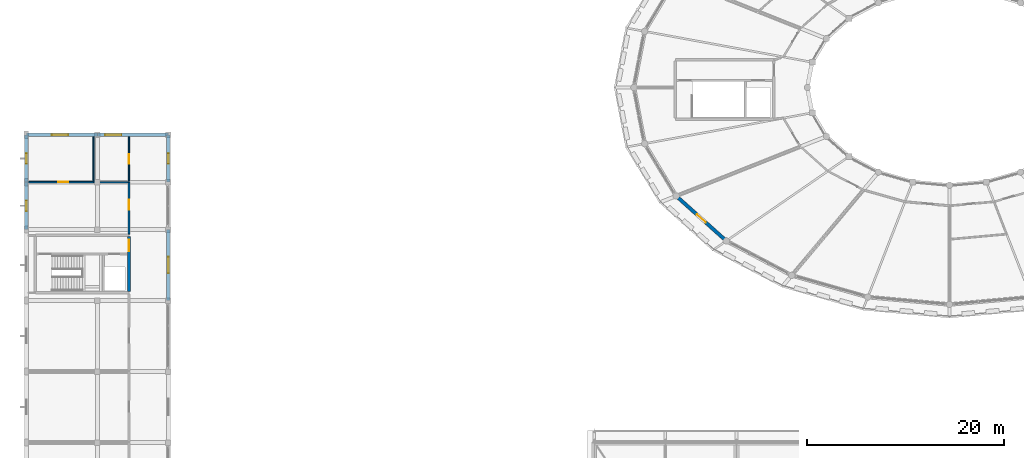
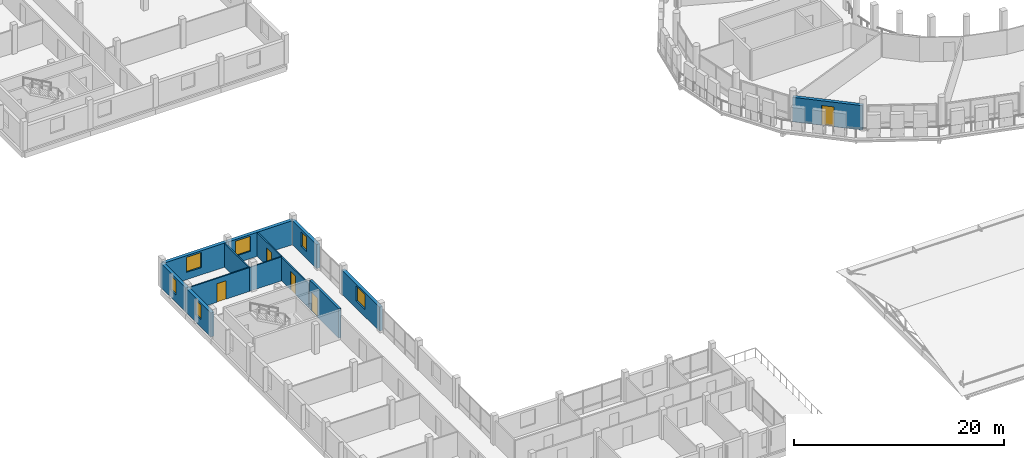
# One storey, part 69 of 84: 13 walls, 6 windows, 5 doors, 11 openings.
"""IFC4 building model written with IfcOpenShell, lengths in metres."""

import ifcopenshell
import ifcopenshell.guid

model = None  # the IFC model being written
_history = None  # IfcOwnerHistory: only IFC2X3 demands one
_inside = {}  # id of a spatial element -> (the spatial element, [elements in it])
_under = {}  # id of a project, library or spatial element -> (it, [spatial elements below it])
_declared = {}  # id of a project -> (the project, [libraries it declares])
_typed = {}  # id of a type object -> (the type object, [elements of that type])
_made_of = {}  # id of a material, layer set ... -> (it, [elements and type objects made of it])


def new_model(schema):
    """Start an empty IFC model of exactly this schema.

    Asked for "IFC4X3", IfcOpenShell would pick the latest addendum, in which some entities
    have other attributes; the version numbers below select the first issue.
    IFC2X3 requires an IfcOwnerHistory on every rooted entity: one is made here for all.
    """
    global model, _history
    if schema == "IFC4X3":
        model = ifcopenshell.file(schema_version=(4, 3, 0, 0))
    else:
        model = ifcopenshell.file(schema=schema)
    _inside.clear()
    _under.clear()
    _declared.clear()
    _typed.clear()
    _made_of.clear()
    _history = None
    if model.schema == "IFC2X3":
        org = make("IfcOrganization", Name="unknown")
        user = make(
            "IfcPersonAndOrganization",
            ThePerson=make("IfcPerson", FamilyName="unknown"),
            TheOrganization=org,
        )
        app = make(
            "IfcApplication",
            ApplicationDeveloper=org,
            Version="unknown",
            ApplicationFullName="unknown",
            ApplicationIdentifier="unknown",
        )
        _history = make(
            "IfcOwnerHistory",
            OwningUser=user,
            OwningApplication=app,
            ChangeAction="ADDED",
            CreationDate=0,
        )
    return model


def make(cls, **values):
    """One entity of the class cls with the attributes given. An attribute that is None is left unset."""
    return model.create_entity(
        cls, **{name: value for name, value in values.items() if value is not None}
    )


def rooted(cls, **values):
    """An entity with a GlobalId (a new one), such as an element, a storey or a relation."""
    return make(cls, GlobalId=ifcopenshell.guid.new(), OwnerHistory=_history, **values)


def si_unit(unit_type, name, prefix=None):
    """IfcSIUnit, for example si_unit("LENGTHUNIT", "METRE", prefix="MILLI")."""
    return make("IfcSIUnit", UnitType=unit_type, Prefix=prefix, Name=name)


def assignment(units):
    """IfcUnitAssignment: the units of a project."""
    return None if units is None else make("IfcUnitAssignment", Units=units)


def point(xyz):
    """IfcCartesianPoint."""
    return None if xyz is None else make("IfcCartesianPoint", Coordinates=xyz)


def direction(xyz):
    """IfcDirection."""
    return None if xyz is None else make("IfcDirection", DirectionRatios=xyz)


def frame(location, z_axis=None, x_axis=None):
    """IfcAxis2Placement3D, a coordinate frame: its origin and axes. An axis left out is left unset."""
    return make(
        "IfcAxis2Placement3D",
        Location=point(location),
        Axis=direction(z_axis),
        RefDirection=direction(x_axis),
    )


def frame_2d(location, x_axis=None):
    """IfcAxis2Placement2D, a coordinate frame in the plane: its origin and x axis."""
    return make(
        "IfcAxis2Placement2D", Location=point(location), RefDirection=direction(x_axis)
    )


def origin():
    """The frame at (0, 0, 0) with its axes left unset."""
    return frame((0.0, 0.0, 0.0))


def place(relative_to, where):
    """IfcLocalPlacement: puts the frame where relative to a parent placement (None: the world)."""
    return make(
        "IfcLocalPlacement", PlacementRelTo=relative_to, RelativePlacement=where
    )


def context(
    kind, dimensions, precision=None, world=None, true_north=None, identifier=None
):
    """IfcGeometricRepresentationContext, for example the 3D "Model" context."""
    return make(
        "IfcGeometricRepresentationContext",
        ContextIdentifier=identifier,
        ContextType=kind,
        CoordinateSpaceDimension=dimensions,
        Precision=precision,
        WorldCoordinateSystem=world,
        TrueNorth=true_north,
    )


def subcontext(parent, identifier, kind, view, scale=None):
    """IfcGeometricRepresentationSubContext, for example "Body" below "Model"."""
    return make(
        "IfcGeometricRepresentationSubContext",
        ContextIdentifier=identifier,
        ContextType=kind,
        ParentContext=parent,
        TargetScale=scale,
        TargetView=view,
    )


def project(units=None, contexts=None):
    """IfcProject with its units and contexts."""
    return rooted(
        "IfcProject",
        Name="project",
        RepresentationContexts=contexts,
        UnitsInContext=assignment(units),
    )


def spatial(cls, under=None, at=None, **own):
    """A site, building, storey or space (cls), placed at a placement, below another one or the project."""
    s = rooted(cls, ObjectPlacement=at, **own)
    if under is not None:
        _under.setdefault(under.id(), (under, []))[1].append(s)
    return s


def profile(cls, at=None, kind="AREA", **sizes):
    """A parametric profile (cls). Its sizes go by their IFC names, for example OverallWidth=200.0."""
    return make(cls, ProfileType=kind, Position=at, **sizes)


def rectangle(**sizes):
    """IfcRectangleProfileDef."""
    return profile("IfcRectangleProfileDef", **sizes)


def extrude(swept, where, along, depth):
    """IfcExtrudedAreaSolid: the profile swept, set in the frame where, extruded along a direction by depth."""
    return make(
        "IfcExtrudedAreaSolid",
        SweptArea=swept,
        Position=where,
        ExtrudedDirection=direction(along),
        Depth=depth,
    )


def shape(context_of_items, identifier, shape_type, items):
    """IfcShapeRepresentation: the items that make up one representation, for example the "Body"."""
    return make(
        "IfcShapeRepresentation",
        ContextOfItems=context_of_items,
        RepresentationIdentifier=identifier,
        RepresentationType=shape_type,
        Items=items,
    )


def material(Name=None, Category=None):
    """IfcMaterial."""
    return make("IfcMaterial", Name=Name, Category=Category)


def layer(
    of_material, thickness, ventilated=None, Name=None, Category=None, Priority=None
):
    """IfcMaterialLayer: one layer of a wall or slab, of a material (None: an air gap)."""
    return make(
        "IfcMaterialLayer",
        Material=of_material,
        LayerThickness=thickness,
        IsVentilated=ventilated,
        Name=Name,
        Category=Category,
        Priority=Priority,
    )


def layer_set(layers, Name=None):
    """IfcMaterialLayerSet."""
    return make("IfcMaterialLayerSet", MaterialLayers=layers, LayerSetName=Name)


def made_of(thing, what):
    """Note that an element or type object is made of a material, layer set ...; save() writes the relation."""
    if what is not None:
        _made_of.setdefault(what.id(), (what, []))[1].append(thing)
    return thing


def type_object(cls, material=None, **own):
    """A type object (cls), such as IfcWallType, which elements share."""
    return made_of(rooted(cls, **own), material)


def element(
    cls,
    number,
    at=None,
    inside=None,
    cuts=None,
    type_object=None,
    material=None,
    context=None,
    identifier="Body",
    shape_type=None,
    held_by="IfcProductDefinitionShape",
    body=None,
    shapes=None,
    **own,
):
    """One element of the class cls, such as IfcWall. Its Tag is "e" and its number.

    at: its placement. inside: the storey or other place that contains it. cuts: it is an
    opening in that element (IfcRelVoidsElement). A single representation is given by context,
    identifier, shape_type and body (its items); several are given by shapes. held_by: the class
    of the entity that holds the representations. save() writes the other relations.
    """
    e = rooted(cls, Tag="e%d" % number, ObjectPlacement=at, **own)
    if body is not None:
        shapes = [shape(context, identifier, shape_type, body)]
    if shapes is not None:
        e.Representation = make(held_by, Representations=shapes)
    if inside is not None:
        _inside.setdefault(inside.id(), (inside, []))[1].append(e)
    if cuts is not None:
        rooted(
            "IfcRelVoidsElement", RelatingBuildingElement=cuts, RelatedOpeningElement=e
        )
    if type_object is not None:
        _typed.setdefault(type_object.id(), (type_object, []))[1].append(e)
    return made_of(e, material)


def fill(opening, filler):
    """IfcRelFillsElement: the door or window that sits in an opening."""
    return rooted(
        "IfcRelFillsElement",
        RelatingOpeningElement=opening,
        RelatedBuildingElement=filler,
    )


def aggregate(whole, parts):
    """IfcRelAggregates: a whole, such as a stair, and the parts it consists of."""
    return rooted("IfcRelAggregates", RelatingObject=whole, RelatedObjects=parts)


def save(model, path):
    """Write the relations noted so far, then the file.

    IfcRelAggregates (storeys below a building ...), IfcRelContainedInSpatialStructure (elements
    in a storey), IfcRelDefinesByType, IfcRelAssociatesMaterial and IfcRelDeclares: one each for
    every whole, place, type object, material and project.
    """
    for whole, parts in _under.values():
        aggregate(whole, parts)
    for where, things in _inside.values():
        rooted(
            "IfcRelContainedInSpatialStructure",
            RelatedElements=things,
            RelatingStructure=where,
        )
    for kind, things in _typed.values():
        rooted("IfcRelDefinesByType", RelatedObjects=things, RelatingType=kind)
    for what, things in _made_of.values():
        rooted("IfcRelAssociatesMaterial", RelatedObjects=things, RelatingMaterial=what)
    for by, libraries in _declared.values():
        rooted("IfcRelDeclares", RelatingContext=by, RelatedDefinitions=libraries)
    model.write(path)


model = new_model("IFC4")

# Units and contexts
model_context = context("Model", 3, precision=1e-05, world=origin(), true_north=direction((0.0, 1.0)))
body_context = subcontext(model_context, "Body", "Model", "MODEL_VIEW")
ifc_project = project(units=[si_unit("LENGTHUNIT", "METRE"), si_unit("AREAUNIT", "SQUARE_METRE"), si_unit("VOLUMEUNIT", "CUBIC_METRE"), si_unit("PLANEANGLEUNIT", "RADIAN"), si_unit("MASSUNIT", "GRAM", prefix="KILO")], contexts=[model_context])

# Site, building, storey
site_placement = place(None, origin())
site = spatial("IfcSite", under=ifc_project, at=site_placement, CompositionType="ELEMENT")
building_placement = place(site_placement, origin())
building = spatial("IfcBuilding", under=site, at=building_placement, Name="Zornivar Specialist Clinic", CompositionType="ELEMENT")
storey_placement = place(building_placement, frame((0.0, 0.0, 12.300048828125)))
storey = spatial("IfcBuildingStorey", under=building, at=storey_placement, Name="L03", CompositionType="ELEMENT", Elevation=12.300048828125)

# Wall, opening, window
ifc_material_1 = material(Name="Masonry Red-Ochre Brick and Stone Insulated Wall", Category="masonry")
ifc_layer_1 = layer(ifc_material_1, 0.360107421875)
ifc_layer_set_1 = layer_set([ifc_layer_1], Name="Masonry Red-Ochre Brick and Stone Insulated Wall")
wall_type_1 = type_object("IfcWallType", Name="EW-BRICK-360", PredefinedType="SOLIDWALL", material=ifc_layer_set_1)
wall_1_placement = place(storey_placement, frame((14.39990234375, 36.0, 0.0), z_axis=(0.0, 0.0, 1.0), x_axis=(0.0, 1.0, 0.0)))
wall_1 = element("IfcWall", 1, at=wall_1_placement, inside=storey, type_object=wall_type_1, Name="ew:V2:L03:15", PredefinedType="SOLIDWALL", context=body_context, shape_type="SweptSolid", body=[
    extrude(rectangle(XDim=7.199951171875, YDim=0.360107421875, at=frame_2d((3.60009765625, 0.0))), origin(), (0.0, 0.0, 1.0), 2.800048828125),
])
opening_1_placement = place(wall_1_placement, frame((2.77490234375, 0.0, 0.85009765625)))
opening_1 = element("IfcOpeningElement", 2, at=opening_1_placement, cuts=wall_1, Name="Opening W-09", PredefinedType="OPENING", context=body_context, shape_type="SweptSolid", body=[
    extrude(rectangle(XDim=1.64990234375, YDim=1.75, at=frame_2d((0.824951171875, 0.875))), frame((0.0, 0.18994140625, 0.0), z_axis=(0.0, -1.0, 0.0), x_axis=(1.0, 0.0, 0.0)), (0.0, 0.0, 1.0), 0.380126953125),
])
ifc_material_2 = material(Name="Triple-Glazed Aluminium-Timber Window Glass", Category="wood")
window_type_1 = type_object("IfcWindowType", Name="WIN-CUMBA-COURT-1650x1750", PartitioningType="SINGLE_PANEL", PredefinedType="WINDOW", material=ifc_material_2)
window_1_placement = place(opening_1_placement, origin())
window_1 = element("IfcWindow", 3, at=window_1_placement, inside=storey, type_object=window_type_1, Name="win:V2:L03:15", OverallHeight=1.75, OverallWidth=1.64990234375, PartitioningType="SINGLE_PANEL", PredefinedType="WINDOW", context=body_context, shape_type="SweptSolid", body=[
    extrude(rectangle(XDim=1.64990234375, YDim=1.75, at=frame_2d((0.824951171875, 0.875))), frame((0.0, 0.030029296875, 0.0), z_axis=(0.0, -1.0, 0.0), x_axis=(1.0, 0.0, 0.0)), (0.0, 0.0, 1.0), 0.06005859375),
])
fill(opening_1, window_1)

wall_2_placement = place(storey_placement, frame((14.39990234375, 48.0, 0.0), z_axis=(0.0, 0.0, 1.0), x_axis=(0.0, 1.0, 0.0)))
wall_2 = element("IfcWall", 4, at=wall_2_placement, inside=storey, type_object=wall_type_1, Name="ew:V2:L03:17", PredefinedType="SOLIDWALL", context=body_context, shape_type="SweptSolid", body=[
    extrude(rectangle(XDim=4.800048828125, YDim=0.360107421875, at=frame_2d((2.39990234375, 0.0))), origin(), (0.0, 0.0, 1.0), 2.800048828125),
])
opening_2_placement = place(wall_2_placement, frame((1.875, 0.0, 0.85009765625)))
opening_2 = element("IfcOpeningElement", 5, at=opening_2_placement, cuts=wall_2, Name="Opening W-10", PredefinedType="OPENING", context=body_context, shape_type="SweptSolid", body=[
    extrude(rectangle(XDim=1.050048828125, YDim=1.699951171875, at=frame_2d((0.52490234375, 0.85009765625))), frame((0.0, 0.18994140625, 0.0), z_axis=(0.0, -1.0, 0.0), x_axis=(1.0, 0.0, 0.0)), (0.0, 0.0, 1.0), 0.380126953125),
])
ifc_material_3 = material(Name="Triple-Glazed Aluminium-Timber Window Glass", Category="wood")
window_type_2 = type_object("IfcWindowType", Name="WIN-CUMBA-PIER-1050x1700", PartitioningType="SINGLE_PANEL", PredefinedType="WINDOW", material=ifc_material_3)
window_2_placement = place(opening_2_placement, origin())
window_2 = element("IfcWindow", 6, at=window_2_placement, inside=storey, type_object=window_type_2, Name="win:V2:L03:17", OverallHeight=1.699951171875, OverallWidth=1.050048828125, PartitioningType="SINGLE_PANEL", PredefinedType="WINDOW", context=body_context, shape_type="SweptSolid", body=[
    extrude(rectangle(XDim=1.050048828125, YDim=1.699951171875, at=frame_2d((0.52490234375, 0.85009765625))), frame((0.0, 0.030029296875, 0.0), z_axis=(0.0, -1.0, 0.0), x_axis=(1.0, 0.0, 0.0)), (0.0, 0.0, 1.0), 0.06005859375),
])
fill(opening_2, window_2)

wall_3_placement = place(storey_placement, frame((14.39990234375, 52.800048828125, 0.0), z_axis=(0.0, 0.0, 1.0), x_axis=(-1.0, 0.0, 0.0)))
wall_3 = element("IfcWall", 7, at=wall_3_placement, inside=storey, type_object=wall_type_1, Name="ew:V2:L03:18", PredefinedType="SOLIDWALL", context=body_context, shape_type="SweptSolid", body=[
    extrude(rectangle(XDim=7.199951171875, YDim=0.360107421875, at=frame_2d((3.60009765625, 0.0))), origin(), (0.0, 0.0, 1.0), 2.800048828125),
])
opening_3_placement = place(wall_3_placement, frame((4.77490234375, 0.0, 0.85009765625)))
opening_3 = element("IfcOpeningElement", 8, at=opening_3_placement, cuts=wall_3, Name="Opening W-09", PredefinedType="OPENING", context=body_context, shape_type="SweptSolid", body=[
    extrude(rectangle(XDim=1.64990234375, YDim=1.75, at=frame_2d((0.824951171875, 0.875))), frame((0.0, 0.18994140625, 0.0), z_axis=(0.0, -1.0, 0.0), x_axis=(1.0, 0.0, 0.0)), (0.0, 0.0, 1.0), 0.380126953125),
])
window_3_placement = place(opening_3_placement, origin())
window_3 = element("IfcWindow", 9, at=window_3_placement, inside=storey, type_object=window_type_1, Name="win:V2:L03:18", OverallHeight=1.75, OverallWidth=1.64990234375, PartitioningType="SINGLE_PANEL", PredefinedType="WINDOW", context=body_context, shape_type="SweptSolid", body=[
    extrude(rectangle(XDim=1.64990234375, YDim=1.75, at=frame_2d((0.824951171875, 0.875))), frame((0.0, 0.030029296875, 0.0), z_axis=(0.0, -1.0, 0.0), x_axis=(1.0, 0.0, 0.0)), (0.0, 0.0, 1.0), 0.06005859375),
])
fill(opening_3, window_3)

wall_4_placement = place(storey_placement, frame((7.199951171875, 52.800048828125, 0.0), z_axis=(0.0, 0.0, 1.0), x_axis=(-1.0, 0.0, 0.0)))
wall_4 = element("IfcWall", 10, at=wall_4_placement, inside=storey, type_object=wall_type_1, Name="ew:V2:L03:19", PredefinedType="SOLIDWALL", context=body_context, shape_type="SweptSolid", body=[
    extrude(rectangle(XDim=7.199951171875, YDim=0.360107421875, at=frame_2d((3.60009765625, 0.0))), origin(), (0.0, 0.0, 1.0), 2.800048828125),
])
opening_4_placement = place(wall_4_placement, frame((2.97509765625, 0.0, 0.85009765625)))
opening_4 = element("IfcOpeningElement", 11, at=opening_4_placement, cuts=wall_4, Name="Opening W-09", PredefinedType="OPENING", context=body_context, shape_type="SweptSolid", body=[
    extrude(rectangle(XDim=1.64990234375, YDim=1.75, at=frame_2d((0.824951171875, 0.875))), frame((0.0, 0.18994140625, 0.0), z_axis=(0.0, -1.0, 0.0), x_axis=(1.0, 0.0, 0.0)), (0.0, 0.0, 1.0), 0.380126953125),
])
window_4_placement = place(opening_4_placement, origin())
window_4 = element("IfcWindow", 12, at=window_4_placement, inside=storey, type_object=window_type_1, Name="win:V2:L03:19", OverallHeight=1.75, OverallWidth=1.64990234375, PartitioningType="SINGLE_PANEL", PredefinedType="WINDOW", context=body_context, shape_type="SweptSolid", body=[
    extrude(rectangle(XDim=1.64990234375, YDim=1.75, at=frame_2d((0.824951171875, 0.875))), frame((0.0, 0.030029296875, 0.0), z_axis=(0.0, -1.0, 0.0), x_axis=(1.0, 0.0, 0.0)), (0.0, 0.0, 1.0), 0.06005859375),
])
fill(opening_4, window_4)

wall_5_placement = place(storey_placement, frame((0.0, 52.800048828125, 0.0), z_axis=(0.0, 0.0, 1.0), x_axis=(0.0, -1.0, 0.0)))
wall_5 = element("IfcWall", 13, at=wall_5_placement, inside=storey, type_object=wall_type_1, Name="ew:V2:L03:20", PredefinedType="SOLIDWALL", context=body_context, shape_type="SweptSolid", body=[
    extrude(rectangle(XDim=4.800048828125, YDim=0.360107421875, at=frame_2d((2.39990234375, 0.0))), origin(), (0.0, 0.0, 1.0), 2.800048828125),
])
opening_5_placement = place(wall_5_placement, frame((1.875, 0.0, 0.85009765625)))
opening_5 = element("IfcOpeningElement", 14, at=opening_5_placement, cuts=wall_5, Name="Opening W-10", PredefinedType="OPENING", context=body_context, shape_type="SweptSolid", body=[
    extrude(rectangle(XDim=1.050048828125, YDim=1.699951171875, at=frame_2d((0.52490234375, 0.85009765625))), frame((0.0, 0.18994140625, 0.0), z_axis=(0.0, -1.0, 0.0), x_axis=(1.0, 0.0, 0.0)), (0.0, 0.0, 1.0), 0.380126953125),
])
window_5_placement = place(opening_5_placement, origin())
window_5 = element("IfcWindow", 15, at=window_5_placement, inside=storey, type_object=window_type_2, Name="win:V2:L03:20", OverallHeight=1.699951171875, OverallWidth=1.050048828125, PartitioningType="SINGLE_PANEL", PredefinedType="WINDOW", context=body_context, shape_type="SweptSolid", body=[
    extrude(rectangle(XDim=1.050048828125, YDim=1.699951171875, at=frame_2d((0.52490234375, 0.85009765625))), frame((0.0, 0.030029296875, 0.0), z_axis=(0.0, -1.0, 0.0), x_axis=(1.0, 0.0, 0.0)), (0.0, 0.0, 1.0), 0.06005859375),
])
fill(opening_5, window_5)

wall_6_placement = place(storey_placement, frame((0.0, 48.0, 0.0), z_axis=(0.0, 0.0, 1.0), x_axis=(0.0, -1.0, 0.0)))
wall_6 = element("IfcWall", 16, at=wall_6_placement, inside=storey, type_object=wall_type_1, Name="ew:V2:L03:21", PredefinedType="SOLIDWALL", context=body_context, shape_type="SweptSolid", body=[
    extrude(rectangle(XDim=4.800048828125, YDim=0.360107421875, at=frame_2d((2.39990234375, 0.0))), origin(), (0.0, 0.0, 1.0), 2.800048828125),
])
opening_6_placement = place(wall_6_placement, frame((1.875, 0.0, 0.85009765625)))
opening_6 = element("IfcOpeningElement", 17, at=opening_6_placement, cuts=wall_6, Name="Opening W-10", PredefinedType="OPENING", context=body_context, shape_type="SweptSolid", body=[
    extrude(rectangle(XDim=1.050048828125, YDim=1.699951171875, at=frame_2d((0.52490234375, 0.85009765625))), frame((0.0, 0.18994140625, 0.0), z_axis=(0.0, -1.0, 0.0), x_axis=(1.0, 0.0, 0.0)), (0.0, 0.0, 1.0), 0.380126953125),
])
window_6_placement = place(opening_6_placement, origin())
window_6 = element("IfcWindow", 18, at=window_6_placement, inside=storey, type_object=window_type_2, Name="win:V2:L03:21", OverallHeight=1.699951171875, OverallWidth=1.050048828125, PartitioningType="SINGLE_PANEL", PredefinedType="WINDOW", context=body_context, shape_type="SweptSolid", body=[
    extrude(rectangle(XDim=1.050048828125, YDim=1.699951171875, at=frame_2d((0.52490234375, 0.85009765625))), frame((0.0, 0.030029296875, 0.0), z_axis=(0.0, -1.0, 0.0), x_axis=(1.0, 0.0, 0.0)), (0.0, 0.0, 1.0), 0.06005859375),
])
fill(opening_6, window_6)

# Wall, opening, door
ifc_material_4 = material(Name="Masonry Drum Limestone Portal Wall", Category="masonry")
ifc_layer_2 = layer(ifc_material_4, 0.35009765625)
ifc_layer_set_2 = layer_set([ifc_layer_2], Name="Masonry Drum Limestone Portal Wall")
wall_type_2 = type_object("IfcWallType", Name="EW-DRUM-350", PredefinedType="SOLIDWALL", material=ifc_layer_set_2)
wall_7_placement = place(storey_placement, frame((65.886962890625, 46.60009765625, 0.0), z_axis=(0.0, 0.0, 1.0), x_axis=(0.744835335723, -0.667248321585, 0.0)))
wall_7 = element("IfcWall", 19, at=wall_7_placement, inside=storey, type_object=wall_type_2, Name="ew:V1:L03:c14", PredefinedType="SOLIDWALL", context=body_context, shape_type="SweptSolid", body=[
    extrude(rectangle(XDim=6.828369140625, YDim=0.35009765625, at=frame_2d((3.4140625, 0.0))), origin(), (0.0, 0.0, 1.0), 2.849853515625),
])
opening_7_placement = place(wall_7_placement, frame((2.81396484375, 0.0, 0.0)))
opening_7 = element("IfcOpeningElement", 20, at=opening_7_placement, cuts=wall_7, Name="Opening BD-01", PredefinedType="OPENING", context=body_context, shape_type="SweptSolid", body=[
    extrude(rectangle(XDim=1.199951171875, YDim=2.300048828125, at=frame_2d((0.60009765625, 1.14990234375))), frame((0.0, 0.18505859375, 0.0), z_axis=(0.0, -1.0, 0.0), x_axis=(1.0, 0.0, 0.0)), (0.0, 0.0, 1.0), 0.3701171875),
])
ifc_material_5 = material(Name="Thermally Broken Glazed Aluminium Door", Category="aluminium")
door_type_1 = type_object("IfcDoorType", Name="BD-BALC-1200x2300", OperationType="NOTDEFINED", PredefinedType="DOOR", material=ifc_material_5)
door_1_placement = place(opening_7_placement, origin())
door_1 = element("IfcDoor", 21, at=door_1_placement, inside=storey, type_object=door_type_1, Name="door:V1:L03:c14", OperationType="SINGLE_SWING_RIGHT", OverallHeight=2.300048828125, OverallWidth=1.199951171875, PredefinedType="DOOR", context=body_context, shape_type="SweptSolid", body=[
    extrude(rectangle(XDim=1.199951171875, YDim=2.300048828125, at=frame_2d((0.60009765625, 1.14990234375))), frame((0.0, 0.02490234375, 0.0), z_axis=(0.0, -1.0, 0.0), x_axis=(1.0, 0.0, 0.0)), (0.0, 0.0, 1.0), 0.050048828125),
])
fill(opening_7, door_1)

ifc_material_6 = material(Name="Acoustic Clinical Stud Partition")
ifc_layer_3 = layer(ifc_material_6, 0.139892578125)
ifc_layer_set_3 = layer_set([ifc_layer_3], Name="Acoustic Clinical Stud Partition")
wall_type_3 = type_object("IfcWallType", Name="IW-CLIN-140", PredefinedType="PARTITIONING", material=ifc_layer_set_3)
wall_8_placement = place(storey_placement, frame((0.195068359375, 48.0, 0.0), z_axis=(0.0, 0.0, 1.0), x_axis=(1.0, 0.0, 0.0)))
wall_8 = element("IfcWall", 22, at=wall_8_placement, inside=storey, type_object=wall_type_3, Name="iw:L03:060", PredefinedType="PARTITIONING", context=body_context, shape_type="SweptSolid", body=[
    extrude(rectangle(XDim=6.60498046875, YDim=0.139892578125, at=frame_2d((3.302490234375, 0.0))), origin(), (0.0, 0.0, 1.0), 2.780029296875),
])
opening_8_placement = place(wall_8_placement, frame((3.0458984375, 0.0, 0.0)))
opening_8 = element("IfcOpeningElement", 23, at=opening_8_placement, cuts=wall_8, Name="Opening ID-09", PredefinedType="OPENING", context=body_context, shape_type="SweptSolid", body=[
    extrude(rectangle(XDim=0.97998046875, YDim=2.14990234375, at=frame_2d((0.489990234375, 1.074951171875))), frame((0.0, 0.079833984375, 0.0), z_axis=(0.0, -1.0, 0.0), x_axis=(1.0, 0.0, 0.0)), (0.0, 0.0, 1.0), 0.159912109375),
])
ifc_material_7 = material(Name="Solid-Core Hygienic Laminate Timber Door", Category="wood")
door_type_2 = type_object("IfcDoorType", Name="ID-STAFF-0980x2150", OperationType="NOTDEFINED", PredefinedType="DOOR", material=ifc_material_7)
door_2_placement = place(opening_8_placement, origin())
door_2 = element("IfcDoor", 24, at=door_2_placement, inside=storey, type_object=door_type_2, Name="door:space:V2:L03:rm:05b", OperationType="SINGLE_SWING_RIGHT", OverallHeight=2.14990234375, OverallWidth=0.97998046875, PredefinedType="DOOR", context=body_context, shape_type="SweptSolid", body=[
    extrude(rectangle(XDim=0.97998046875, YDim=2.14990234375, at=frame_2d((0.489990234375, 1.074951171875))), frame((0.0, 0.02490234375, 0.0), z_axis=(0.0, -1.0, 0.0), x_axis=(1.0, 0.0, 0.0)), (0.0, 0.0, 1.0), 0.050048828125),
])
fill(opening_8, door_2)

ifc_material_8 = material(Name="Gypsum Fire-Rated Double Stud Partition")
ifc_layer_4 = layer(ifc_material_8, 0.159912109375)
ifc_layer_set_4 = layer_set([ifc_layer_4], Name="Gypsum Fire-Rated Double Stud Partition")
wall_type_4 = type_object("IfcWallType", Name="IW-CORR-EI60-160", PredefinedType="PARTITIONING", material=ifc_layer_set_4)
wall_9_placement = place(storey_placement, frame((10.39990234375, 48.0, 0.0), z_axis=(0.0, 0.0, 1.0), x_axis=(0.0, -1.0, 0.0)))
wall_9 = element("IfcWall", 25, at=wall_9_placement, inside=storey, type_object=wall_type_4, Name="iw:L03:058", PredefinedType="PARTITIONING", context=body_context, shape_type="SweptSolid", body=[
    extrude(rectangle(XDim=5.2548828125, YDim=0.159912109375, at=frame_2d((2.62744140625, 0.0))), origin(), (0.0, 0.0, 1.0), 2.780029296875),
])
opening_9_placement = place(wall_9_placement, frame((1.798095703125, 0.0, 0.0)))
opening_9 = element("IfcOpeningElement", 26, at=opening_9_placement, cuts=wall_9, Name="Opening ID-04", PredefinedType="OPENING", context=body_context, shape_type="SweptSolid", body=[
    extrude(rectangle(XDim=1.0, YDim=2.14990234375, at=frame_2d((0.5, 1.074951171875))), frame((0.0, 0.08984375, 0.0), z_axis=(0.0, -1.0, 0.0), x_axis=(1.0, 0.0, 0.0)), (0.0, 0.0, 1.0), 0.179931640625),
])
ifc_material_9 = material(Name="Solid-Core Hygienic Laminate Timber Door", Category="wood")
door_type_3 = type_object("IfcDoorType", Name="ID-EXAM-1000x2150", OperationType="NOTDEFINED", PredefinedType="DOOR", material=ifc_material_9)
door_3_placement = place(opening_9_placement, origin())
door_3 = element("IfcDoor", 27, at=door_3_placement, inside=storey, type_object=door_type_3, Name="door:space:V2:L03:rm:04", OperationType="SINGLE_SWING_RIGHT", OverallHeight=2.14990234375, OverallWidth=1.0, PredefinedType="DOOR", context=body_context, shape_type="SweptSolid", body=[
    extrude(rectangle(XDim=1.0, YDim=2.14990234375, at=frame_2d((0.5, 1.074951171875))), frame((0.0, 0.02490234375, 0.0), z_axis=(0.0, -1.0, 0.0), x_axis=(1.0, 0.0, 0.0)), (0.0, 0.0, 1.0), 0.050048828125),
])
fill(opening_9, door_3)

# Walls
ifc_material_10 = material(Name="Moisture-Resistant Sanitary Partition")
ifc_layer_5 = layer(ifc_material_10, 0.1298828125)
ifc_layer_set_5 = layer_set([ifc_layer_5], Name="Moisture-Resistant Sanitary Partition")
wall_type_5 = type_object("IfcWallType", Name="IW-WET-130", PredefinedType="PARTITIONING", material=ifc_layer_set_5)
wall_10_placement = place(storey_placement, frame((6.81201171875, 48.0, 0.0), z_axis=(0.0, 0.0, 1.0), x_axis=(1.0, 0.0, 0.0)))
element("IfcWall", 28, at=wall_10_placement, inside=storey, type_object=wall_type_5, Name="iw:L03:061", PredefinedType="PARTITIONING", context=body_context, shape_type="SweptSolid", body=[
    extrude(rectangle(XDim=3.493896484375, YDim=0.1298828125, at=frame_2d((1.7470703125, 0.0))), origin(), (0.0, 0.0, 1.0), 2.780029296875),
])
wall_11_placement = place(storey_placement, frame((6.800048828125, 48.083984375, 0.0), z_axis=(0.0, 0.0, 1.0), x_axis=(0.0, 1.0, 0.0)))
element("IfcWall", 29, at=wall_11_placement, inside=storey, type_object=wall_type_5, Name="iw:L03:062", PredefinedType="PARTITIONING", context=body_context, shape_type="SweptSolid", body=[
    extrude(rectangle(XDim=4.51611328125, YDim=0.1298828125, at=frame_2d((2.258056640625, 0.0))), origin(), (0.0, 0.0, 1.0), 2.780029296875),
])

# Wall, opening, door
wall_12_placement = place(storey_placement, frame((10.39990234375, 52.60009765625, 0.0), z_axis=(0.0, 0.0, 1.0), x_axis=(0.0, -1.0, 0.0)))
wall_12 = element("IfcWall", 30, at=wall_12_placement, inside=storey, type_object=wall_type_5, Name="iw:L03:063", PredefinedType="PARTITIONING", context=body_context, shape_type="SweptSolid", body=[
    extrude(rectangle(XDim=4.52099609375, YDim=0.1298828125, at=frame_2d((2.260498046875, 0.0))), origin(), (0.0, 0.0, 1.0), 2.780029296875),
])
opening_10_placement = place(wall_12_placement, frame((1.785888671875, 0.0, 0.0)))
opening_10 = element("IfcOpeningElement", 31, at=opening_10_placement, cuts=wall_12, Name="Opening ID-07", PredefinedType="OPENING", context=body_context, shape_type="SweptSolid", body=[
    extrude(rectangle(XDim=0.949951171875, YDim=2.10009765625, at=frame_2d((0.47509765625, 1.050048828125))), frame((0.0, 0.074951171875, 0.0), z_axis=(0.0, -1.0, 0.0), x_axis=(1.0, 0.0, 0.0)), (0.0, 0.0, 1.0), 0.14990234375),
])
ifc_material_11 = material(Name="Solid-Core Hygienic Laminate Timber Door", Category="wood")
door_type_4 = type_object("IfcDoorType", Name="ID-WC-ACC-0950x2100", OperationType="NOTDEFINED", PredefinedType="DOOR", material=ifc_material_11)
door_4_placement = place(opening_10_placement, origin())
door_4 = element("IfcDoor", 32, at=door_4_placement, inside=storey, type_object=door_type_4, Name="door:space:V2:L03:rm:05", OperationType="SINGLE_SWING_LEFT", OverallHeight=2.10009765625, OverallWidth=0.949951171875, PredefinedType="DOOR", context=body_context, shape_type="SweptSolid", body=[
    extrude(rectangle(XDim=0.949951171875, YDim=2.10009765625, at=frame_2d((0.47509765625, 1.050048828125))), frame((0.0, 0.02490234375, 0.0), z_axis=(0.0, -1.0, 0.0), x_axis=(1.0, 0.0, 0.0)), (0.0, 0.0, 1.0), 0.050048828125),
])
fill(opening_10, door_4)

ifc_material_12 = material(Name="Concrete C35/45", Category="concrete")
ifc_layer_6 = layer(ifc_material_12, 0.260009765625)
ifc_layer_set_6 = layer_set([ifc_layer_6], Name="Concrete C35/45")
wall_type_6 = type_object("IfcWallType", Name="SW-CORE-260", PredefinedType="SHEAR", material=ifc_layer_set_6)
wall_13_placement = place(storey_placement, frame((10.39990234375, 36.929931640625, 0.0), z_axis=(0.0, 0.0, 1.0), x_axis=(0.0, 1.0, 0.0)))
wall_13 = element("IfcWall", 33, at=wall_13_placement, inside=storey, type_object=wall_type_6, Name="sw:C2:L03:w1", PredefinedType="SHEAR", context=body_context, shape_type="SweptSolid", body=[
    extrude(rectangle(XDim=5.5400390625, YDim=0.260009765625, at=frame_2d((2.77001953125, 0.0))), origin(), (0.0, 0.0, 1.0), 3.419921875),
])
opening_11_placement = place(wall_13_placement, frame((4.070068359375, 0.0, 0.0)))
opening_11 = element("IfcOpeningElement", 34, at=opening_11_placement, cuts=wall_13, Name="Opening FD-03", PredefinedType="OPENING", context=body_context, shape_type="SweptSolid", body=[
    extrude(rectangle(XDim=1.14990234375, YDim=2.199951171875, at=frame_2d((0.574951171875, 1.10009765625))), frame((0.0, 0.139892578125, 0.0), z_axis=(0.0, -1.0, 0.0), x_axis=(1.0, 0.0, 0.0)), (0.0, 0.0, 1.0), 0.280029296875),
])
ifc_material_13 = material(Name="Solid-Core Hygienic Laminate Timber Door", Category="wood")
door_type_5 = type_object("IfcDoorType", Name="FD-LOBBY-UPPER-1150x2200", OperationType="NOTDEFINED", PredefinedType="DOOR", material=ifc_material_13)
door_5_placement = place(opening_11_placement, origin())
door_5 = element("IfcDoor", 35, at=door_5_placement, inside=storey, type_object=door_type_5, Name="door:C2:L03:lob", OperationType="SINGLE_SWING_RIGHT", OverallHeight=2.199951171875, OverallWidth=1.14990234375, PredefinedType="DOOR", context=body_context, shape_type="SweptSolid", body=[
    extrude(rectangle(XDim=1.14990234375, YDim=2.199951171875, at=frame_2d((0.574951171875, 1.10009765625))), frame((0.0, 0.02490234375, 0.0), z_axis=(0.0, -1.0, 0.0), x_axis=(1.0, 0.0, 0.0)), (0.0, 0.0, 1.0), 0.050048828125),
])
fill(opening_11, door_5)

save(model, "model.ifc")
